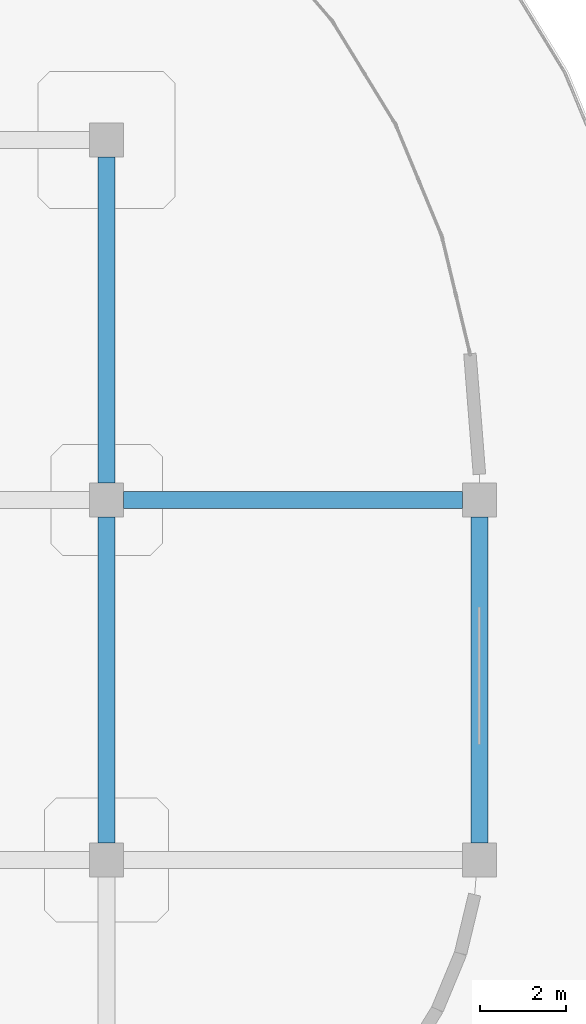
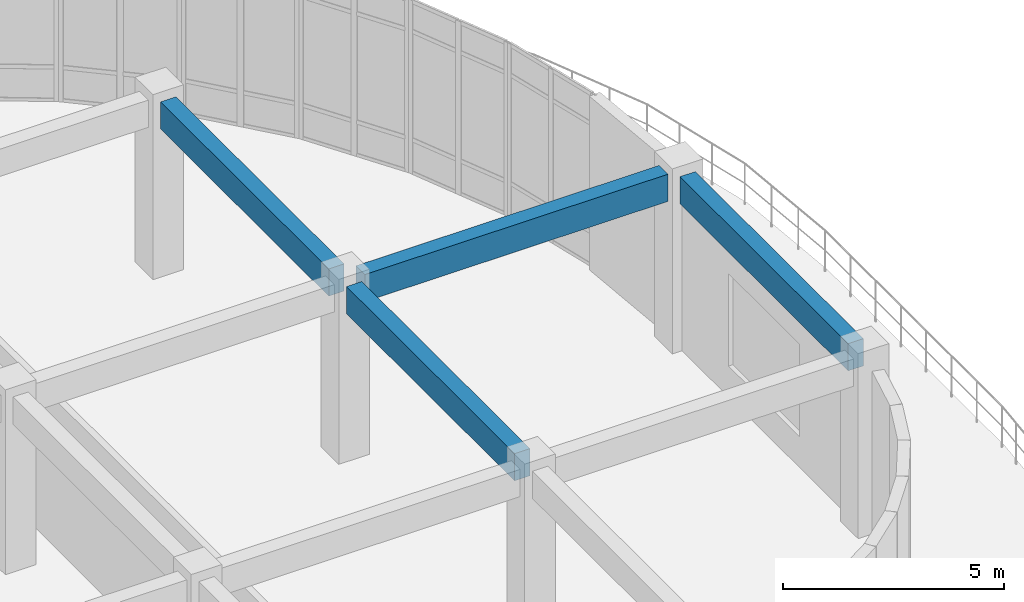
# One storey, part 64 of 96: 4 beams.
"""IFC4 building model written with IfcOpenShell, lengths in metres."""

from ifc_helpers import new_model, si_unit, derived_unit, direction, frame, origin, origin_2d, place, context, subcontext, project, spatial, rectangle, extrude, material, material_profile, profile_set, type_object, element, save


model = new_model("IFC4")

# Units and contexts
model_context = context("Model", 3, precision=1e-05, world=origin(), true_north=direction((0.0, 1.0)))
body_context = subcontext(model_context, "Body", "Model", "MODEL_VIEW")
ifc_project = project(units=[si_unit("LENGTHUNIT", "METRE"), si_unit("AREAUNIT", "SQUARE_METRE"), si_unit("VOLUMEUNIT", "CUBIC_METRE"), si_unit("PLANEANGLEUNIT", "RADIAN"), si_unit("MASSUNIT", "GRAM", prefix="KILO"), derived_unit("THERMALTRANSMITTANCEUNIT", [(si_unit("MASSUNIT", "GRAM", prefix="KILO"), 1), (si_unit("TIMEUNIT", "SECOND"), -3), (si_unit("THERMODYNAMICTEMPERATUREUNIT", "KELVIN"), -1)])], contexts=[model_context])

# Site, building, storey
site_placement = place(None, origin())
site = spatial("IfcSite", under=ifc_project, at=site_placement, CompositionType="ELEMENT")
building_placement = place(site_placement, origin())
building = spatial("IfcBuilding", under=site, at=building_placement, Name="Qinzheling Arcade Emporium", CompositionType="ELEMENT")
storey_placement = place(building_placement, frame((0.0, 0.0, 21.60009765625)))
storey = spatial("IfcBuildingStorey", under=building, at=storey_placement, Name="L05", CompositionType="ELEMENT", Elevation=21.60009765625)

# Beams
ifc_material = material(Name="Concrete C40", Category="concrete")
ifc_material_profile = material_profile(ifc_material, rectangle(XDim=0.39990234375, YDim=0.75, at=origin_2d()), Name="RC 400x750", Category="concrete")
ifc_profile_set = profile_set([ifc_material_profile], Name="Concrete C40")
beam_type = type_object("IfcBeamType", Name="RC Interior Tie Beam 400x750 C40", PredefinedType="BEAM", material=ifc_profile_set)
beam_1_placement = place(storey_placement, frame((130.89990234375, 90.60009765625, 4.4599609375), z_axis=(1.0, 0.0, 0.0), x_axis=(0.0, 1.0, 0.0)))
element("IfcBeam", 1, at=beam_1_placement, inside=storey, type_object=beam_type, Name="Beam BM-L05-X-L-16", PredefinedType="BEAM", context=body_context, shape_type="SweptSolid", body=[
    extrude(rectangle(XDim=0.39990234375, YDim=0.75, at=origin_2d()), origin(), (0.0, 0.0, 1.0), 7.900146484375),
])
beam_2_placement = place(storey_placement, frame((130.5, 82.60009765625, 4.4599609375), z_axis=(0.0, 1.0, 0.0), x_axis=(-1.0, 0.0, 0.0)))
element("IfcBeam", 2, at=beam_2_placement, inside=storey, type_object=beam_type, Name="Beam BM-L05-Y-16-K", PredefinedType="BEAM", context=body_context, shape_type="SweptSolid", body=[
    extrude(rectangle(XDim=0.39990234375, YDim=0.75, at=origin_2d()), origin(), (0.0, 0.0, 1.0), 7.599853515625),
])
beam_3_placement = place(storey_placement, frame((130.5, 91.0, 4.4599609375), z_axis=(0.0, 1.0, 0.0), x_axis=(-1.0, 0.0, 0.0)))
element("IfcBeam", 3, at=beam_3_placement, inside=storey, type_object=beam_type, Name="Beam BM-L05-Y-16-L", PredefinedType="BEAM", context=body_context, shape_type="SweptSolid", body=[
    extrude(rectangle(XDim=0.39990234375, YDim=0.75, at=origin_2d()), origin(), (0.0, 0.0, 1.0), 7.60009765625),
])
beam_4_placement = place(storey_placement, frame((139.199951171875, 82.60009765625, 4.44482421875), z_axis=(0.0, 1.0, 0.0), x_axis=(-1.0, 0.0, 0.0)))
element("IfcBeam", 4, at=beam_4_placement, inside=storey, type_object=beam_type, Name="Beam BM-L05-Y-17-K", PredefinedType="BEAM", context=body_context, shape_type="SweptSolid", body=[
    extrude(rectangle(XDim=0.39990234375, YDim=0.75, at=origin_2d()), origin(), (0.0, 0.0, 1.0), 7.599853515625),
])

save(model, "model.ifc")
